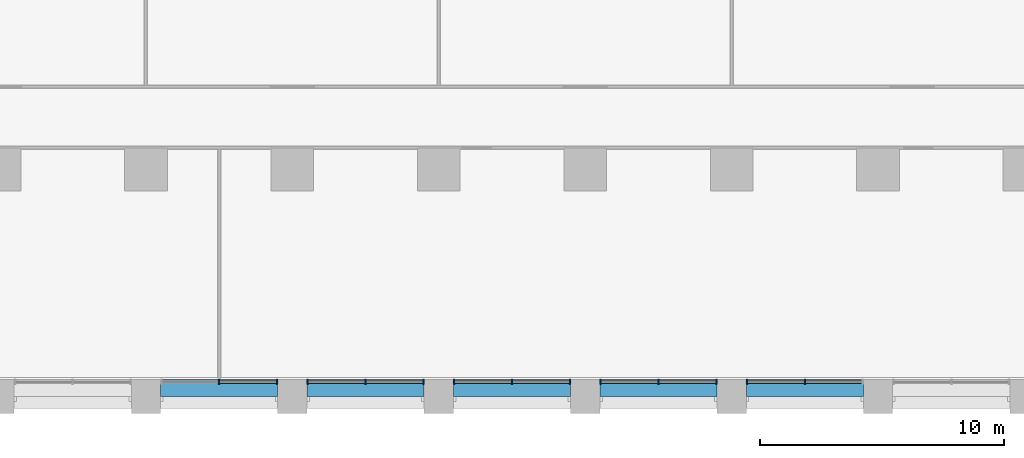
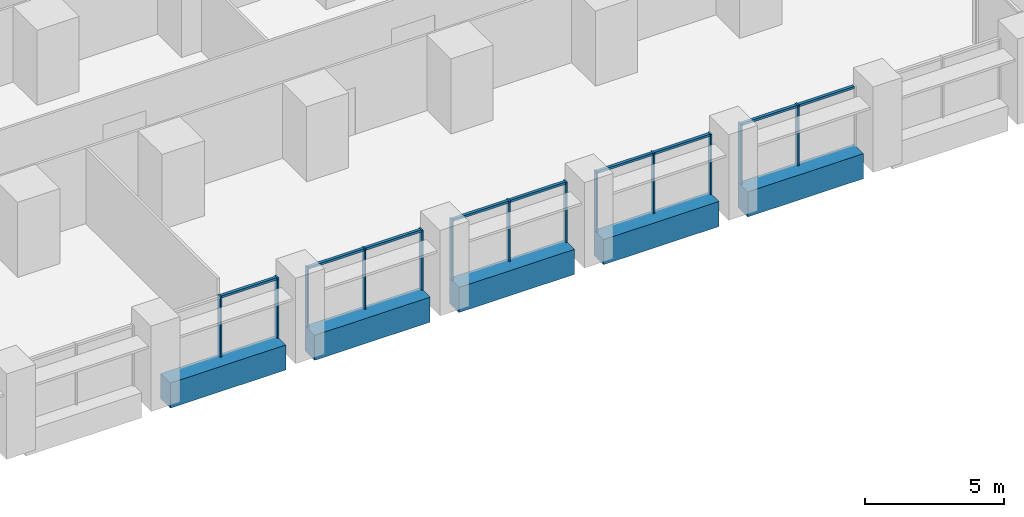
# One storey, part 3 of 18: 22 members, 5 beams, 5 elements without a shape of their own.
"""IFC4 building model written with IfcOpenShell, lengths in metres."""

from ifc_helpers import new_model, si_unit, direction, frame, origin, origin_2d, place, context, subcontext, project, spatial, rectangle, extrude, material, material_profile, profile_set, type_object, element, aggregate, save


model = new_model("IFC4")

# Units and contexts
model_context = context("Model", 3, precision=1e-05, world=origin(), true_north=direction((0.0, 1.0)))
body_context = subcontext(model_context, "Body", "Model", "MODEL_VIEW")
ifc_project = project(units=[si_unit("LENGTHUNIT", "METRE"), si_unit("AREAUNIT", "SQUARE_METRE"), si_unit("VOLUMEUNIT", "CUBIC_METRE"), si_unit("PLANEANGLEUNIT", "RADIAN"), si_unit("MASSUNIT", "GRAM", prefix="KILO")], contexts=[model_context])

# Site, building, storey
site_placement = place(None, origin())
site = spatial("IfcSite", under=ifc_project, at=site_placement, CompositionType="ELEMENT")
building_placement = place(site_placement, origin())
building = spatial("IfcBuilding", under=site, at=building_placement, Name="Calvaro Tower", CompositionType="ELEMENT")
storey_placement = place(building_placement, frame((0.0, 0.0, 37.5)))
storey = spatial("IfcBuildingStorey", under=building, at=storey_placement, Name="L08", CompositionType="ELEMENT", Elevation=37.5)

# Curtain wall, members
ifc_material_1 = material(Name="Anodised aluminium", Category="aluminium")
curtain_wall_type = type_object("IfcCurtainWallType", Name="Office curtain wall, lower zone", PredefinedType="NOTDEFINED", material=ifc_material_1)
curtain_wall_1_placement = place(storey_placement, origin())
curtain_wall_1 = element("IfcCurtainWall", 1, at=curtain_wall_1_placement, inside=storey, type_object=curtain_wall_type, Name="CW1 south curtain wall", PredefinedType="NOTDEFINED")
ifc_material_2 = material(Name="Anodised aluminium", Category="aluminium")
ifc_material_profile_1 = material_profile(ifc_material_2, rectangle(XDim=0.199951171875, YDim=0.06005859375, at=origin_2d()), Name="Mullion S1 60 x 200")
ifc_profile_set_1 = profile_set([ifc_material_profile_1], Name="Anodised aluminium")
member_type_1 = type_object("IfcMemberType", Name="Mullion S1 60 x 200", PredefinedType="MULLION", material=ifc_profile_set_1)
member_1_placement = place(storey_placement, frame((39.0, 1.300048828125, 0.0), z_axis=(0.0, 0.0, 1.0), x_axis=(0.0, 1.0, 0.0)))
member_1 = element("IfcMember", 2, at=member_1_placement, type_object=member_type_1, Name="CW1 mullion 2", PredefinedType="MULLION", context=body_context, shape_type="SweptSolid", body=[
    extrude(rectangle(XDim=0.199951171875, YDim=0.06005859375, at=origin_2d()), origin(), (0.0, 0.0, 1.0), 2.64990234375),
])
member_2_placement = place(storey_placement, frame((41.3701171875, 1.300048828125, 0.0), z_axis=(0.0, 0.0, 1.0), x_axis=(0.0, 1.0, 0.0)))
member_2 = element("IfcMember", 3, at=member_2_placement, type_object=member_type_1, Name="CW1 mullion 3", PredefinedType="MULLION", context=body_context, shape_type="SweptSolid", body=[
    extrude(rectangle(XDim=0.199951171875, YDim=0.06005859375, at=origin_2d()), origin(), (0.0, 0.0, 1.0), 2.64990234375),
])

curtain_wall_2_placement = place(storey_placement, origin())
curtain_wall_2 = element("IfcCurtainWall", 4, at=curtain_wall_2_placement, inside=storey, type_object=curtain_wall_type, Name="CW1 south curtain wall", PredefinedType="NOTDEFINED")
member_3_placement = place(storey_placement, frame((42.6298828125, 1.300048828125, 0.0), z_axis=(0.0, 0.0, 1.0), x_axis=(0.0, 1.0, 0.0)))
member_3 = element("IfcMember", 5, at=member_3_placement, type_object=member_type_1, Name="CW1 mullion 1", PredefinedType="MULLION", context=body_context, shape_type="SweptSolid", body=[
    extrude(rectangle(XDim=0.199951171875, YDim=0.06005859375, at=origin_2d()), origin(), (0.0, 0.0, 1.0), 2.64990234375),
])
member_4_placement = place(storey_placement, frame((45.0, 1.300048828125, 0.0), z_axis=(0.0, 0.0, 1.0), x_axis=(0.0, 1.0, 0.0)))
member_4 = element("IfcMember", 6, at=member_4_placement, type_object=member_type_1, Name="CW1 mullion 2", PredefinedType="MULLION", context=body_context, shape_type="SweptSolid", body=[
    extrude(rectangle(XDim=0.199951171875, YDim=0.06005859375, at=origin_2d()), origin(), (0.0, 0.0, 1.0), 2.64990234375),
])
member_5_placement = place(storey_placement, frame((47.3701171875, 1.300048828125, 0.0), z_axis=(0.0, 0.0, 1.0), x_axis=(0.0, 1.0, 0.0)))
member_5 = element("IfcMember", 7, at=member_5_placement, type_object=member_type_1, Name="CW1 mullion 3", PredefinedType="MULLION", context=body_context, shape_type="SweptSolid", body=[
    extrude(rectangle(XDim=0.199951171875, YDim=0.06005859375, at=origin_2d()), origin(), (0.0, 0.0, 1.0), 2.64990234375),
])

curtain_wall_3_placement = place(storey_placement, origin())
curtain_wall_3 = element("IfcCurtainWall", 8, at=curtain_wall_3_placement, inside=storey, type_object=curtain_wall_type, Name="CW1 south curtain wall", PredefinedType="NOTDEFINED")
member_6_placement = place(storey_placement, frame((48.6298828125, 1.300048828125, 0.0), z_axis=(0.0, 0.0, 1.0), x_axis=(0.0, 1.0, 0.0)))
member_6 = element("IfcMember", 9, at=member_6_placement, type_object=member_type_1, Name="CW1 mullion 1", PredefinedType="MULLION", context=body_context, shape_type="SweptSolid", body=[
    extrude(rectangle(XDim=0.199951171875, YDim=0.06005859375, at=origin_2d()), origin(), (0.0, 0.0, 1.0), 2.64990234375),
])
member_7_placement = place(storey_placement, frame((51.0, 1.300048828125, 0.0), z_axis=(0.0, 0.0, 1.0), x_axis=(0.0, 1.0, 0.0)))
member_7 = element("IfcMember", 10, at=member_7_placement, type_object=member_type_1, Name="CW1 mullion 2", PredefinedType="MULLION", context=body_context, shape_type="SweptSolid", body=[
    extrude(rectangle(XDim=0.199951171875, YDim=0.06005859375, at=origin_2d()), origin(), (0.0, 0.0, 1.0), 2.64990234375),
])
member_8_placement = place(storey_placement, frame((53.3701171875, 1.300048828125, 0.0), z_axis=(0.0, 0.0, 1.0), x_axis=(0.0, 1.0, 0.0)))
member_8 = element("IfcMember", 11, at=member_8_placement, type_object=member_type_1, Name="CW1 mullion 3", PredefinedType="MULLION", context=body_context, shape_type="SweptSolid", body=[
    extrude(rectangle(XDim=0.199951171875, YDim=0.06005859375, at=origin_2d()), origin(), (0.0, 0.0, 1.0), 2.64990234375),
])

curtain_wall_4_placement = place(storey_placement, origin())
curtain_wall_4 = element("IfcCurtainWall", 12, at=curtain_wall_4_placement, inside=storey, type_object=curtain_wall_type, Name="CW1 south curtain wall", PredefinedType="NOTDEFINED")
member_9_placement = place(storey_placement, frame((54.6298828125, 1.300048828125, 0.0), z_axis=(0.0, 0.0, 1.0), x_axis=(0.0, 1.0, 0.0)))
member_9 = element("IfcMember", 13, at=member_9_placement, type_object=member_type_1, Name="CW1 mullion 1", PredefinedType="MULLION", context=body_context, shape_type="SweptSolid", body=[
    extrude(rectangle(XDim=0.199951171875, YDim=0.06005859375, at=origin_2d()), origin(), (0.0, 0.0, 1.0), 2.64990234375),
])
member_10_placement = place(storey_placement, frame((57.0, 1.300048828125, 0.0), z_axis=(0.0, 0.0, 1.0), x_axis=(0.0, 1.0, 0.0)))
member_10 = element("IfcMember", 14, at=member_10_placement, type_object=member_type_1, Name="CW1 mullion 2", PredefinedType="MULLION", context=body_context, shape_type="SweptSolid", body=[
    extrude(rectangle(XDim=0.199951171875, YDim=0.06005859375, at=origin_2d()), origin(), (0.0, 0.0, 1.0), 2.64990234375),
])
member_11_placement = place(storey_placement, frame((59.3701171875, 1.300048828125, 0.0), z_axis=(0.0, 0.0, 1.0), x_axis=(0.0, 1.0, 0.0)))
member_11 = element("IfcMember", 15, at=member_11_placement, type_object=member_type_1, Name="CW1 mullion 3", PredefinedType="MULLION", context=body_context, shape_type="SweptSolid", body=[
    extrude(rectangle(XDim=0.199951171875, YDim=0.06005859375, at=origin_2d()), origin(), (0.0, 0.0, 1.0), 2.64990234375),
])

curtain_wall_5_placement = place(storey_placement, origin())
curtain_wall_5 = element("IfcCurtainWall", 16, at=curtain_wall_5_placement, inside=storey, type_object=curtain_wall_type, Name="CW1 south curtain wall", PredefinedType="NOTDEFINED")
member_12_placement = place(storey_placement, frame((60.6298828125, 1.300048828125, 0.0), z_axis=(0.0, 0.0, 1.0), x_axis=(0.0, 1.0, 0.0)))
member_12 = element("IfcMember", 17, at=member_12_placement, type_object=member_type_1, Name="CW1 mullion 1", PredefinedType="MULLION", context=body_context, shape_type="SweptSolid", body=[
    extrude(rectangle(XDim=0.199951171875, YDim=0.06005859375, at=origin_2d()), origin(), (0.0, 0.0, 1.0), 2.64990234375),
])
member_13_placement = place(storey_placement, frame((63.0, 1.300048828125, 0.0), z_axis=(0.0, 0.0, 1.0), x_axis=(0.0, 1.0, 0.0)))
member_13 = element("IfcMember", 18, at=member_13_placement, type_object=member_type_1, Name="CW1 mullion 2", PredefinedType="MULLION", context=body_context, shape_type="SweptSolid", body=[
    extrude(rectangle(XDim=0.199951171875, YDim=0.06005859375, at=origin_2d()), origin(), (0.0, 0.0, 1.0), 2.64990234375),
])

# Beams
ifc_material_3 = material(Name="Concrete C50/60 precast", Category="concrete")
ifc_material_profile_2 = material_profile(ifc_material_3, rectangle(XDim=0.699951171875, YDim=1.10009765625, at=origin_2d()), Name="RC 700x1100")
ifc_profile_set_2 = profile_set([ifc_material_profile_2], Name="Concrete C50/60 precast")
beam_type = type_object("IfcBeamType", Name="Spandrel beam 700x1100 C50/60", PredefinedType="SPANDREL", material=ifc_profile_set_2)
for number, where, z_axis, x_axis, name in (
    (19, (36.60009765625, 1.050048828125, -0.550048828125), (1.0, 0.0, 0.0), (0.0, 1.0, 0.0), "Spandrel beam"),
    (20, (42.60009765625, 1.050048828125, -0.550048828125), (1.0, 0.0, 0.0), (0.0, 1.0, 0.0), "Spandrel beam"),
    (21, (48.60009765625, 1.050048828125, -0.550048828125), (1.0, 0.0, 0.0), (0.0, 1.0, 0.0), "Spandrel beam"),
    (22, (54.60009765625, 1.050048828125, -0.550048828125), (1.0, 0.0, 0.0), (0.0, 1.0, 0.0), "Spandrel beam"),
    (23, (60.60009765625, 1.050048828125, -0.550048828125), (1.0, 0.0, 0.0), (0.0, 1.0, 0.0), "Spandrel beam"),
):
    element("IfcBeam", number, at=place(storey_placement, frame(where, z_axis=z_axis, x_axis=x_axis)), inside=storey, type_object=beam_type, Name=name, PredefinedType="SPANDREL", context=body_context, shape_type="SweptSolid", body=[
        extrude(rectangle(XDim=0.699951171875, YDim=1.10009765625, at=origin_2d()), origin(), (0.0, 0.0, 1.0), 4.7998046875),
    ])

# Member
ifc_material_4 = material(Name="Anodised aluminium", Category="aluminium")
ifc_material_profile_3 = material_profile(ifc_material_4, rectangle(XDim=0.1201171875, YDim=0.10009765625, at=origin_2d()), Name="Transom S1 100 x 120")
ifc_profile_set_3 = profile_set([ifc_material_profile_3], Name="Anodised aluminium")
member_type_2 = type_object("IfcMemberType", Name="Transom S1 100 x 120", PredefinedType="USERDEFINED", material=ifc_profile_set_3)
member_14_placement = place(storey_placement, frame((39.030029296875, 1.300048828125, 2.60009765625), z_axis=(1.0, 0.0, 0.0), x_axis=(0.0, 1.0, 0.0)))
member_14 = element("IfcMember", 24, at=member_14_placement, type_object=member_type_2, Name="CW1 transom 2.1", ObjectType="TRANSOM", PredefinedType="USERDEFINED", context=body_context, shape_type="SweptSolid", body=[
    extrude(rectangle(XDim=0.1201171875, YDim=0.10009765625, at=origin_2d()), origin(), (0.0, 0.0, 1.0), 2.31005859375),
])

aggregate(curtain_wall_1, [member_1, member_2, member_14])

member_15_placement = place(storey_placement, frame((42.659912109375, 1.300048828125, 2.60009765625), z_axis=(1.0, 0.0, 0.0), x_axis=(0.0, 1.0, 0.0)))
member_15 = element("IfcMember", 25, at=member_15_placement, type_object=member_type_2, Name="CW1 transom 1.1", ObjectType="TRANSOM", PredefinedType="USERDEFINED", context=body_context, shape_type="SweptSolid", body=[
    extrude(rectangle(XDim=0.1201171875, YDim=0.10009765625, at=origin_2d()), origin(), (0.0, 0.0, 1.0), 2.31005859375),
])

member_16_placement = place(storey_placement, frame((45.030029296875, 1.300048828125, 2.60009765625), z_axis=(1.0, 0.0, 0.0), x_axis=(0.0, 1.0, 0.0)))
member_16 = element("IfcMember", 26, at=member_16_placement, type_object=member_type_2, Name="CW1 transom 2.1", ObjectType="TRANSOM", PredefinedType="USERDEFINED", context=body_context, shape_type="SweptSolid", body=[
    extrude(rectangle(XDim=0.1201171875, YDim=0.10009765625, at=origin_2d()), origin(), (0.0, 0.0, 1.0), 2.31005859375),
])

aggregate(curtain_wall_2, [member_3, member_4, member_5, member_15, member_16])

member_17_placement = place(storey_placement, frame((48.659912109375, 1.300048828125, 2.60009765625), z_axis=(1.0, 0.0, 0.0), x_axis=(0.0, 1.0, 0.0)))
member_17 = element("IfcMember", 27, at=member_17_placement, type_object=member_type_2, Name="CW1 transom 1.1", ObjectType="TRANSOM", PredefinedType="USERDEFINED", context=body_context, shape_type="SweptSolid", body=[
    extrude(rectangle(XDim=0.1201171875, YDim=0.10009765625, at=origin_2d()), origin(), (0.0, 0.0, 1.0), 2.31005859375),
])

member_18_placement = place(storey_placement, frame((51.030029296875, 1.300048828125, 2.60009765625), z_axis=(1.0, 0.0, 0.0), x_axis=(0.0, 1.0, 0.0)))
member_18 = element("IfcMember", 28, at=member_18_placement, type_object=member_type_2, Name="CW1 transom 2.1", ObjectType="TRANSOM", PredefinedType="USERDEFINED", context=body_context, shape_type="SweptSolid", body=[
    extrude(rectangle(XDim=0.1201171875, YDim=0.10009765625, at=origin_2d()), origin(), (0.0, 0.0, 1.0), 2.31005859375),
])

aggregate(curtain_wall_3, [member_6, member_7, member_8, member_17, member_18])

member_19_placement = place(storey_placement, frame((54.659912109375, 1.300048828125, 2.60009765625), z_axis=(1.0, 0.0, 0.0), x_axis=(0.0, 1.0, 0.0)))
member_19 = element("IfcMember", 29, at=member_19_placement, type_object=member_type_2, Name="CW1 transom 1.1", ObjectType="TRANSOM", PredefinedType="USERDEFINED", context=body_context, shape_type="SweptSolid", body=[
    extrude(rectangle(XDim=0.1201171875, YDim=0.10009765625, at=origin_2d()), origin(), (0.0, 0.0, 1.0), 2.31005859375),
])

member_20_placement = place(storey_placement, frame((57.030029296875, 1.300048828125, 2.60009765625), z_axis=(1.0, 0.0, 0.0), x_axis=(0.0, 1.0, 0.0)))
member_20 = element("IfcMember", 30, at=member_20_placement, type_object=member_type_2, Name="CW1 transom 2.1", ObjectType="TRANSOM", PredefinedType="USERDEFINED", context=body_context, shape_type="SweptSolid", body=[
    extrude(rectangle(XDim=0.1201171875, YDim=0.10009765625, at=origin_2d()), origin(), (0.0, 0.0, 1.0), 2.31005859375),
])

aggregate(curtain_wall_4, [member_9, member_10, member_11, member_19, member_20])

member_21_placement = place(storey_placement, frame((60.659912109375, 1.300048828125, 2.60009765625), z_axis=(1.0, 0.0, 0.0), x_axis=(0.0, 1.0, 0.0)))
member_21 = element("IfcMember", 31, at=member_21_placement, type_object=member_type_2, Name="CW1 transom 1.1", ObjectType="TRANSOM", PredefinedType="USERDEFINED", context=body_context, shape_type="SweptSolid", body=[
    extrude(rectangle(XDim=0.1201171875, YDim=0.10009765625, at=origin_2d()), origin(), (0.0, 0.0, 1.0), 2.31005859375),
])

member_22_placement = place(storey_placement, frame((63.030029296875, 1.300048828125, 2.60009765625), z_axis=(1.0, 0.0, 0.0), x_axis=(0.0, 1.0, 0.0)))
member_22 = element("IfcMember", 32, at=member_22_placement, type_object=member_type_2, Name="CW1 transom 2.1", ObjectType="TRANSOM", PredefinedType="USERDEFINED", context=body_context, shape_type="SweptSolid", body=[
    extrude(rectangle(XDim=0.1201171875, YDim=0.10009765625, at=origin_2d()), origin(), (0.0, 0.0, 1.0), 2.31005859375),
])

aggregate(curtain_wall_5, [member_12, member_13, member_21, member_22])

save(model, "model.ifc")
